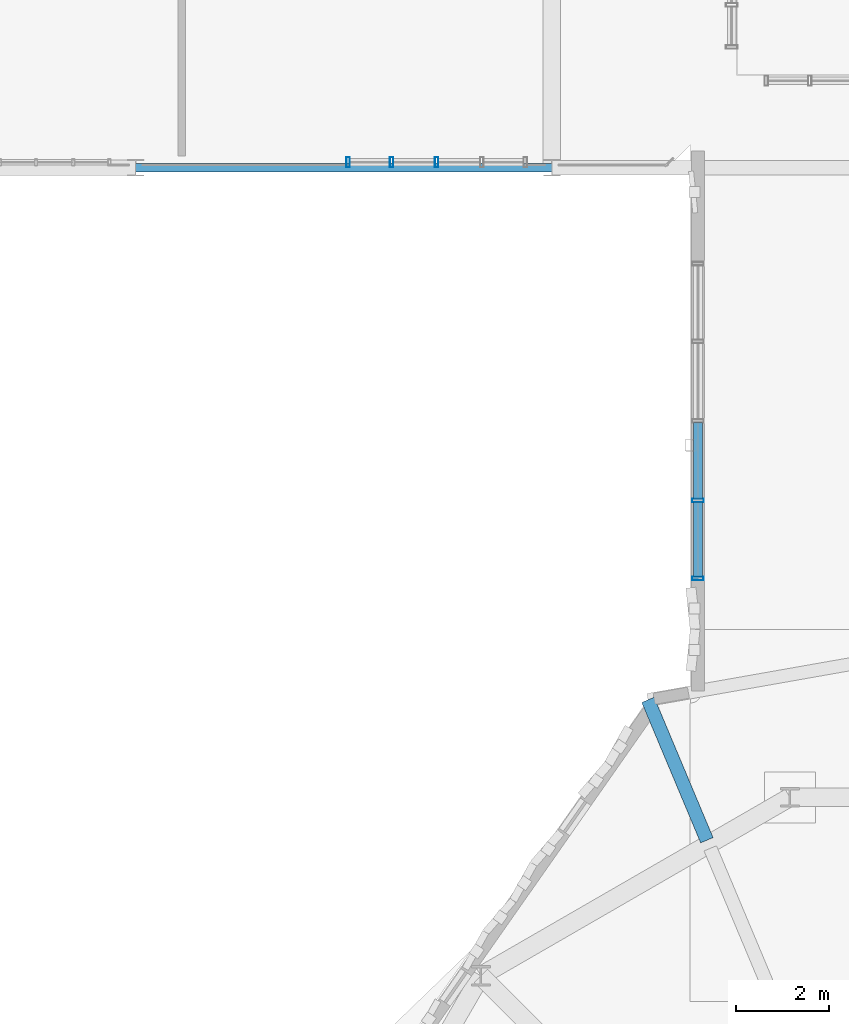
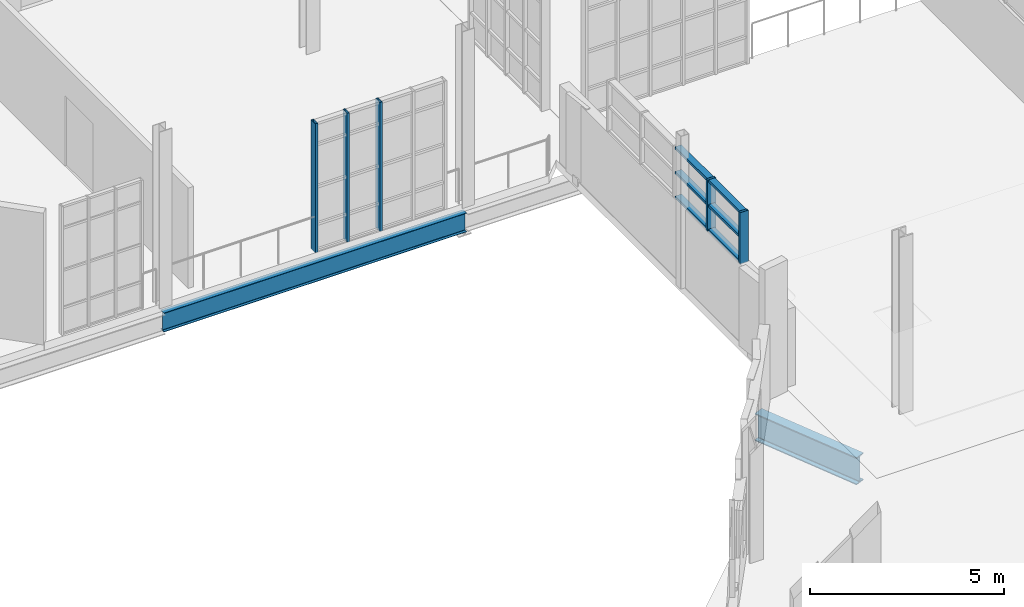
# One storey, part 12 of 36: 11 members, 2 beams, 2 elements without a shape of their own.
"""IFC4 building model written with IfcOpenShell, lengths in metres."""

from ifc_helpers import new_model, si_unit, direction, frame, origin, origin_2d, place, context, subcontext, project, spatial, hollow_rectangle, i_section, extrude, material, layer, layer_set, material_profile, profile_set, type_object, element, aggregate, save


model = new_model("IFC4")

# Units and contexts
model_context = context("Model", 3, precision=1e-05, world=origin(), true_north=direction((0.0, 1.0)))
body_context = subcontext(model_context, "Body", "Model", "MODEL_VIEW")
ifc_project = project(units=[si_unit("LENGTHUNIT", "METRE"), si_unit("AREAUNIT", "SQUARE_METRE"), si_unit("VOLUMEUNIT", "CUBIC_METRE"), si_unit("PLANEANGLEUNIT", "RADIAN"), si_unit("MASSUNIT", "GRAM", prefix="KILO"), si_unit("THERMODYNAMICTEMPERATUREUNIT", "KELVIN"), si_unit("POWERUNIT", "WATT")], contexts=[model_context])

# Site, building, storey
site_placement = place(None, origin())
site = spatial("IfcSite", under=ifc_project, at=site_placement, CompositionType="ELEMENT")
building_placement = place(site_placement, origin())
building = spatial("IfcBuilding", under=site, at=building_placement, Name="Zelmaris Science Centre", CompositionType="ELEMENT")
storey_placement = place(building_placement, frame((0.0, 0.0, 25.199951171875)))
storey = spatial("IfcBuildingStorey", under=building, at=storey_placement, Name="L05", CompositionType="ELEMENT", Elevation=25.199951171875)

# Curtain wall, members
ifc_material_1 = material(Name="Anodised architectural aluminium 6063-T6", Category="aluminium")
ifc_layer_1 = layer(ifc_material_1, 0.199951171875, Name="Anodised architectural aluminium 6063-T6")
ifc_layer_set_1 = layer_set([ifc_layer_1], Name="Anodised architectural aluminium 6063-T6")
curtain_wall_type_1 = type_object("IfcCurtainWallType", Name="Curtain Wall CW-02", PredefinedType="USERDEFINED", material=ifc_layer_set_1)
curtain_wall_1_placement = place(storey_placement, origin())
curtain_wall_1 = element("IfcCurtainWall", 1, at=curtain_wall_1_placement, inside=storey, type_object=curtain_wall_type_1, Name="L05 Unitised curtain wall 374", ObjectType="GLAZED CURTAIN WALL", PredefinedType="USERDEFINED")
ifc_material_profile_1 = material_profile(ifc_material_1, hollow_rectangle(XDim=0.074951171875, YDim=0.219970703125, WallThickness=0.0048828125, at=origin_2d()), Name="ALU-MUL-75X220")
ifc_profile_set_1 = profile_set([ifc_material_profile_1], Name="Anodised architectural aluminium 6063-T6")
member_type_1 = type_object("IfcMemberType", Name="ALU-MUL-75X220", PredefinedType="MULLION", material=ifc_profile_set_1)
member_1_placement = place(storey_placement, frame((69.510009765625, 64.1201171875, -0.014892578125), z_axis=(0.0, 0.0, 1.0), x_axis=(-0.999999999986, 5.235988e-06, 0.0)))
member_1 = element("IfcMember", 2, at=member_1_placement, type_object=member_type_1, Name="CW-02 mullion 3", PredefinedType="MULLION", context=body_context, shape_type="SweptSolid", body=[
    extrude(hollow_rectangle(XDim=0.074951171875, YDim=0.219970703125, WallThickness=0.0048828125, at=origin_2d()), origin(), (0.0, 0.0, 1.0), 4.054931640625),
])
member_2_placement = place(storey_placement, frame((68.534912109375, 64.1201171875, -0.014892578125), z_axis=(0.0, 0.0, 1.0), x_axis=(-0.999999999986, 5.235988e-06, 0.0)))
member_2 = element("IfcMember", 3, at=member_2_placement, type_object=member_type_1, Name="CW-02 mullion 4", PredefinedType="MULLION", context=body_context, shape_type="SweptSolid", body=[
    extrude(hollow_rectangle(XDim=0.074951171875, YDim=0.219970703125, WallThickness=0.0048828125, at=origin_2d()), origin(), (0.0, 0.0, 1.0), 4.054931640625),
])
member_3_placement = place(storey_placement, frame((67.593505859375, 64.1201171875, -0.014892578125), z_axis=(0.0, 0.0, 1.0), x_axis=(-0.999999999986, 5.235988e-06, 0.0)))
member_3 = element("IfcMember", 4, at=member_3_placement, type_object=member_type_1, Name="CW-02 mullion 5", PredefinedType="MULLION", context=body_context, shape_type="SweptSolid", body=[
    extrude(hollow_rectangle(XDim=0.074951171875, YDim=0.219970703125, WallThickness=0.0048828125, at=origin_2d()), origin(), (0.0, 0.0, 1.0), 4.054931640625),
])
aggregate(curtain_wall_1, [member_1, member_2, member_3])

ifc_layer_2 = layer(ifc_material_1, 0.18994140625, Name="Anodised architectural aluminium 6063-T6")
ifc_layer_set_2 = layer_set([ifc_layer_2], Name="Anodised architectural aluminium 6063-T6")
curtain_wall_type_2 = type_object("IfcCurtainWallType", Name="Curtain Wall CW-01", PredefinedType="USERDEFINED", material=ifc_layer_set_2)
curtain_wall_2_placement = place(storey_placement, origin())
curtain_wall_2 = element("IfcCurtainWall", 5, at=curtain_wall_2_placement, inside=storey, type_object=curtain_wall_type_2, Name="L05 Clerestory curtain wall 373", ObjectType="GLAZED CURTAIN WALL", PredefinedType="USERDEFINED")
ifc_material_profile_2 = material_profile(ifc_material_1, hollow_rectangle(XDim=0.080078125, YDim=0.25, WallThickness=0.0048828125, at=origin_2d()), Name="ALU-MUL-80X250")
ifc_profile_set_2 = profile_set([ifc_material_profile_2], Name="Anodised architectural aluminium 6063-T6")
member_type_2 = type_object("IfcMemberType", Name="ALU-MUL-80X250", PredefinedType="MULLION", material=ifc_profile_set_2)
member_4_placement = place(storey_placement, frame((75.15625, 55.12548828125, 2.420166015625), z_axis=(0.0, 0.0, 1.0), x_axis=(0.000378736439, 0.999999928279, 0.0)))
member_4 = element("IfcMember", 6, at=member_4_placement, type_object=member_type_2, Name="CW-01 mullion 1", PredefinedType="MULLION", context=body_context, shape_type="SweptSolid", body=[
    extrude(hollow_rectangle(XDim=0.080078125, YDim=0.25, WallThickness=0.0048828125, at=origin_2d()), origin(), (0.0, 0.0, 1.0), 1.619873046875),
])
member_5_placement = place(storey_placement, frame((75.15673828125, 56.807373046875, 2.420166015625), z_axis=(0.0, 0.0, 1.0), x_axis=(0.000378736439, 0.999999928279, 0.0)))
member_5 = element("IfcMember", 7, at=member_5_placement, type_object=member_type_2, Name="CW-01 mullion 2", PredefinedType="MULLION", context=body_context, shape_type="SweptSolid", body=[
    extrude(hollow_rectangle(XDim=0.080078125, YDim=0.25, WallThickness=0.0048828125, at=origin_2d()), origin(), (0.0, 0.0, 1.0), 1.619873046875),
])
ifc_material_profile_3 = material_profile(ifc_material_1, hollow_rectangle(XDim=0.080078125, YDim=0.18994140625, WallThickness=0.00439453125, at=origin_2d()), Name="ALU-TRN-80X190")
ifc_profile_set_3 = profile_set([ifc_material_profile_3], Name="Anodised architectural aluminium 6063-T6")
member_type_3 = type_object("IfcMemberType", Name="ALU-TRN-80X190", PredefinedType="USERDEFINED", material=ifc_profile_set_3)
member_6_placement = place(storey_placement, frame((75.15625, 55.16162109375, 2.4560546875), z_axis=(0.000303306022, 0.999999954003, 0.0), x_axis=(0.0, 0.0, 1.0)))
member_6 = element("IfcMember", 8, at=member_6_placement, type_object=member_type_3, Name="CW-01 transom 1.1", ObjectType="TRANSOM", PredefinedType="USERDEFINED", context=body_context, shape_type="SweptSolid", body=[
    extrude(hollow_rectangle(XDim=0.080078125, YDim=0.18994140625, WallThickness=0.00439453125, at=origin_2d()), origin(), (0.0, 0.0, 1.0), 1.60986328125),
])
member_7_placement = place(storey_placement, frame((75.15625, 55.16162109375, 3.22998046875), z_axis=(0.000303306022, 0.999999954003, 0.0), x_axis=(0.0, 0.0, 1.0)))
member_7 = element("IfcMember", 9, at=member_7_placement, type_object=member_type_3, Name="CW-01 transom 1.2", ObjectType="TRANSOM", PredefinedType="USERDEFINED", context=body_context, shape_type="SweptSolid", body=[
    extrude(hollow_rectangle(XDim=0.080078125, YDim=0.18994140625, WallThickness=0.00439453125, at=origin_2d()), origin(), (0.0, 0.0, 1.0), 1.60986328125),
])
member_8_placement = place(storey_placement, frame((75.15625, 55.16162109375, 4.004150390625), z_axis=(0.000303306022, 0.999999954003, 0.0), x_axis=(0.0, 0.0, 1.0)))
member_8 = element("IfcMember", 10, at=member_8_placement, type_object=member_type_3, Name="CW-01 transom 1.3", ObjectType="TRANSOM", PredefinedType="USERDEFINED", context=body_context, shape_type="SweptSolid", body=[
    extrude(hollow_rectangle(XDim=0.080078125, YDim=0.18994140625, WallThickness=0.00439453125, at=origin_2d()), origin(), (0.0, 0.0, 1.0), 1.60986328125),
])
member_9_placement = place(storey_placement, frame((75.156982421875, 56.843505859375, 2.4560546875), z_axis=(0.000296691872, 0.999999955987, 0.0), x_axis=(0.0, 0.0, 1.0)))
member_9 = element("IfcMember", 11, at=member_9_placement, type_object=member_type_3, Name="CW-01 transom 2.1", ObjectType="TRANSOM", PredefinedType="USERDEFINED", context=body_context, shape_type="SweptSolid", body=[
    extrude(hollow_rectangle(XDim=0.080078125, YDim=0.18994140625, WallThickness=0.00439453125, at=origin_2d()), origin(), (0.0, 0.0, 1.0), 1.645751953125),
])
member_10_placement = place(storey_placement, frame((75.156982421875, 56.843505859375, 3.22998046875), z_axis=(0.000296691872, 0.999999955987, 0.0), x_axis=(0.0, 0.0, 1.0)))
member_10 = element("IfcMember", 12, at=member_10_placement, type_object=member_type_3, Name="CW-01 transom 2.2", ObjectType="TRANSOM", PredefinedType="USERDEFINED", context=body_context, shape_type="SweptSolid", body=[
    extrude(hollow_rectangle(XDim=0.080078125, YDim=0.18994140625, WallThickness=0.00439453125, at=origin_2d()), origin(), (0.0, 0.0, 1.0), 1.645751953125),
])
member_11_placement = place(storey_placement, frame((75.156982421875, 56.843505859375, 4.004150390625), z_axis=(0.000296691872, 0.999999955987, 0.0), x_axis=(0.0, 0.0, 1.0)))
member_11 = element("IfcMember", 13, at=member_11_placement, type_object=member_type_3, Name="CW-01 transom 2.3", ObjectType="TRANSOM", PredefinedType="USERDEFINED", context=body_context, shape_type="SweptSolid", body=[
    extrude(hollow_rectangle(XDim=0.080078125, YDim=0.18994140625, WallThickness=0.00439453125, at=origin_2d()), origin(), (0.0, 0.0, 1.0), 1.645751953125),
])
aggregate(curtain_wall_2, [member_4, member_5, member_6, member_7, member_8, member_9, member_10, member_11])

# Beams
ifc_material_2 = material(Name="Steel ASTM A992 Grade 50", Category="steel")
ifc_material_profile_4 = material_profile(ifc_material_2, i_section(OverallWidth=0.2919921875, OverallDepth=0.85888671875, WebThickness=0.01708984375, FlangeThickness=0.031005859375, FilletRadius=0.02001953125, at=origin_2d()), Name="W33X169")
ifc_profile_set_4 = profile_set([ifc_material_profile_4], Name="Steel ASTM A992 Grade 50")
beam_type_1 = type_object("IfcBeamType", Name="Beam G-29 W33X169", PredefinedType="BEAM", material=ifc_profile_set_4)
beam_1_placement = place(storey_placement, frame((75.349609375, 49.46533203125, -0.70947265625), z_axis=(-0.386905777716, 0.922119254311, 0.0), x_axis=(-0.922119254311, -0.386905777716, 0.0)))
element("IfcBeam", 14, at=beam_1_placement, inside=storey, type_object=beam_type_1, Name="L05 Radial overhang girder 7", PredefinedType="BEAM", context=body_context, shape_type="SweptSolid", body=[
    extrude(i_section(OverallWidth=0.2919921875, OverallDepth=0.85888671875, WebThickness=0.01708984375, FlangeThickness=0.031005859375, FilletRadius=0.02001953125, at=origin_2d()), origin(), (0.0, 0.0, 1.0), 3.290771484375),
])
ifc_material_profile_5 = material_profile(ifc_material_2, i_section(OverallWidth=0.177978515625, OverallDepth=0.59912109375, WebThickness=0.010009765625, FlangeThickness=0.0126953125, FilletRadius=0.014892578125, at=origin_2d()), Name="W24X55")
ifc_profile_set_5 = profile_set([ifc_material_profile_5], Name="Steel ASTM A992 Grade 50")
beam_type_2 = type_object("IfcBeamType", Name="Beam G-38 W24X55", PredefinedType="BEAM", material=ifc_profile_set_5)
beam_2_placement = place(storey_placement, frame((63.0, 64.0, -0.549560546875), z_axis=(1.0, 0.0, 0.0), x_axis=(0.0, 1.0, 0.0)))
element("IfcBeam", 15, at=beam_2_placement, inside=storey, type_object=beam_type_2, Name="L05 East-west girder 926", PredefinedType="BEAM", context=body_context, shape_type="SweptSolid", body=[
    extrude(i_section(OverallWidth=0.177978515625, OverallDepth=0.59912109375, WebThickness=0.010009765625, FlangeThickness=0.0126953125, FilletRadius=0.014892578125, at=origin_2d()), origin(), (0.0, 0.0, 1.0), 9.0),
])

save(model, "model.ifc")
